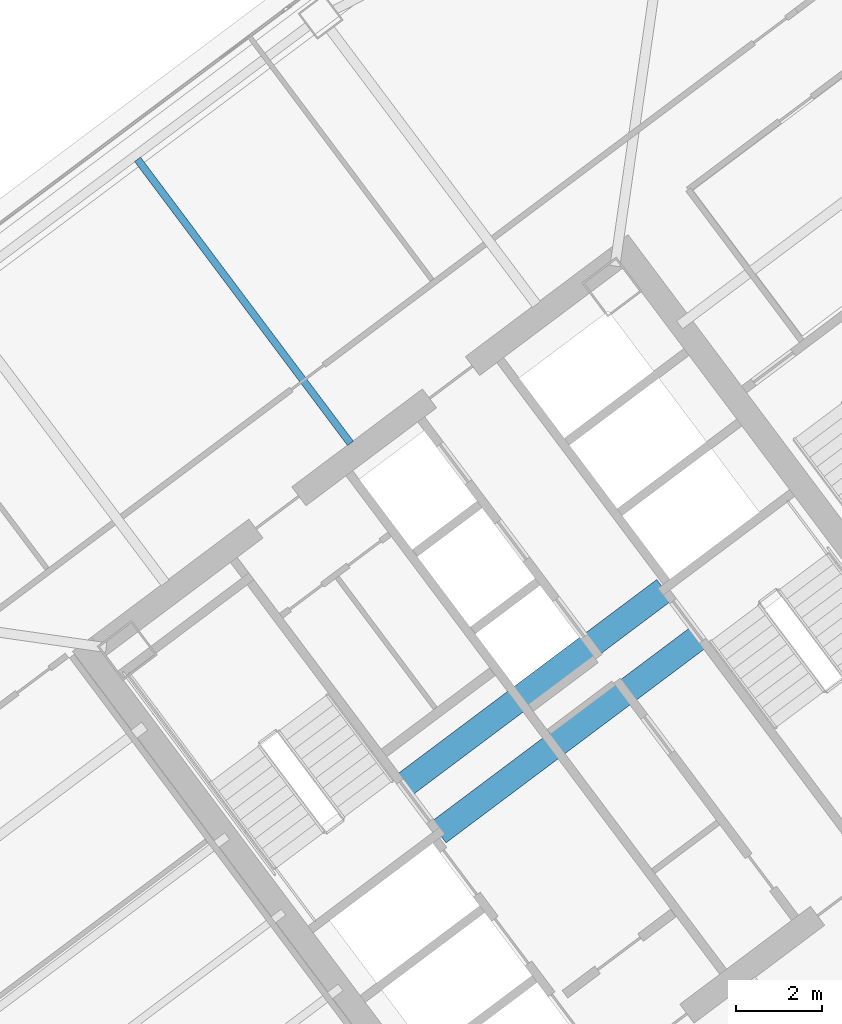
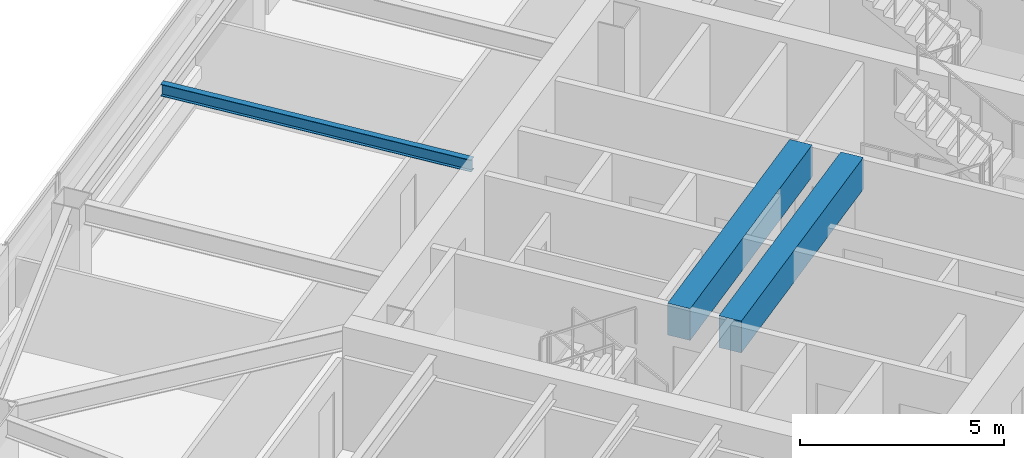
# One storey, part 24 of 46: 3 beams.
"""IFC4 building model written with IfcOpenShell, lengths in metres."""

from ifc_helpers import new_model, si_unit, direction, frame, origin, origin_2d, place, context, subcontext, project, spatial, rectangle, i_section, extrude, material, material_profile, profile_set, type_object, element, save


model = new_model("IFC4")

# Units and contexts
model_context = context("Model", 3, precision=1e-05, world=origin(), true_north=direction((0.0, 1.0)))
body_context = subcontext(model_context, "Body", "Model", "MODEL_VIEW")
ifc_project = project(units=[si_unit("LENGTHUNIT", "METRE"), si_unit("AREAUNIT", "SQUARE_METRE"), si_unit("VOLUMEUNIT", "CUBIC_METRE"), si_unit("PLANEANGLEUNIT", "RADIAN"), si_unit("MASSUNIT", "GRAM", prefix="KILO")], contexts=[model_context])

# Site, building, storey
site_placement = place(None, origin())
site = spatial("IfcSite", under=ifc_project, at=site_placement, CompositionType="ELEMENT")
building_placement = place(site_placement, origin())
building = spatial("IfcBuilding", under=site, at=building_placement, Name="Tashvorn Skyway Center", CompositionType="ELEMENT")
storey_placement = place(building_placement, frame((0.0, 0.0, 167.64990234375)))
storey = spatial("IfcBuildingStorey", under=building, at=storey_placement, Name="L45", CompositionType="ELEMENT", Elevation=167.64990234375)

# Beams
ifc_material_1 = material(Name="Steel ASTM A992 Grade 50", Category="steel")
ifc_material_profile_1 = material_profile(ifc_material_1, i_section(OverallWidth=0.1708984375, OverallDepth=0.35498046875, WebThickness=0.007080078125, FlangeThickness=0.01171875, at=origin_2d()), Name="W14X34")
ifc_profile_set_1 = profile_set([ifc_material_profile_1], Name="Steel ASTM A992 Grade 50")
beam_type_1 = type_object("IfcBeamType", Name="BM-JOIST-W14X34", PredefinedType="JOIST", material=ifc_profile_set_1)
beam_placement = place(storey_placement, frame((109.325927734375, 38.23193359375, 3.192626953125), z_axis=(-0.59999527236, 0.800003545708, 0.0), x_axis=(-0.800003545708, -0.59999527236, 0.0)))
element("IfcBeam", 1, at=beam_placement, inside=storey, type_object=beam_type_1, Name="Tower 2 L45 Secondary Composite Joist JN", PredefinedType="JOIST", context=body_context, shape_type="SweptSolid", body=[
    extrude(i_section(OverallWidth=0.1708984375, OverallDepth=0.35498046875, WebThickness=0.007080078125, FlangeThickness=0.01171875, at=origin_2d()), origin(), (0.0, 0.0, 1.0), 8.2626953125),
])
ifc_material_2 = material(Name="Concrete C60/75", Category="concrete")
ifc_material_profile_2 = material_profile(ifc_material_2, rectangle(XDim=0.60009765625, YDim=0.949951171875, at=origin_2d()), Name="RCB600x950")
ifc_profile_set_2 = profile_set([ifc_material_profile_2], Name="Concrete C60/75")
beam_type_2 = type_object("IfcBeamType", Name="BM-LINTEL-RCB600x950", PredefinedType="LINTEL", material=ifc_profile_set_2)
for number, where, z_axis, x_axis, name in (
    (2, (110.552001953125, 30.263916015625, 2.89501953125), (0.8, 0.6, 0.0), (-0.6, 0.8, 0.0), "Tower 2 L45 Core Coupling Beam CN"),
    (3, (111.367919921875, 29.176025390625, 2.89501953125), (0.8, 0.6, 0.0), (-0.6, 0.8, 0.0), "Tower 2 L45 Core Coupling Beam CS"),
):
    element("IfcBeam", number, at=place(storey_placement, frame(where, z_axis=z_axis, x_axis=x_axis)), inside=storey, type_object=beam_type_2, Name=name, PredefinedType="LINTEL", context=body_context, shape_type="SweptSolid", body=[
        extrude(rectangle(XDim=0.60009765625, YDim=0.949951171875, at=origin_2d()), origin(), (0.0, 0.0, 1.0), 7.60009765625),
    ])

save(model, "model.ifc")
